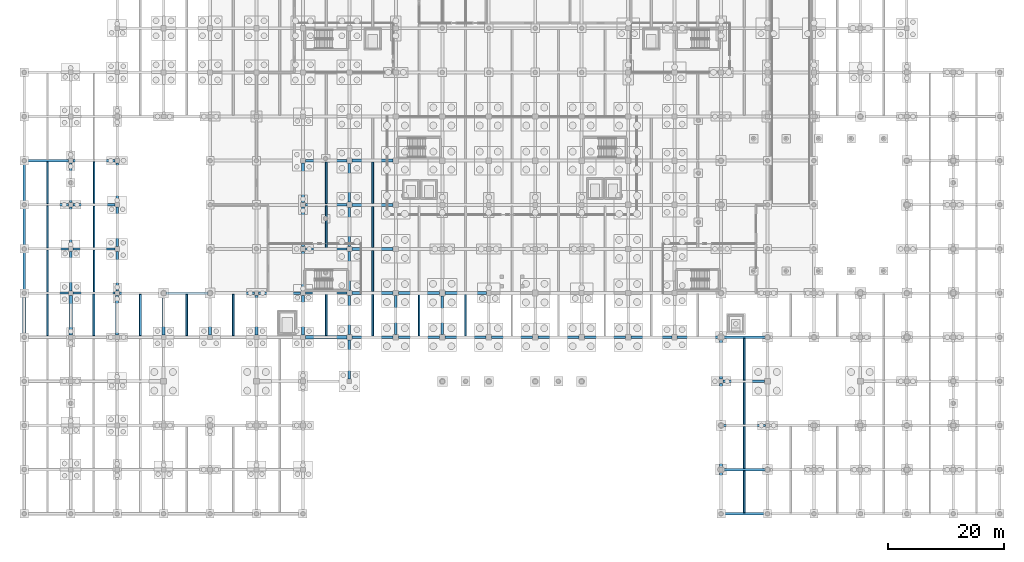
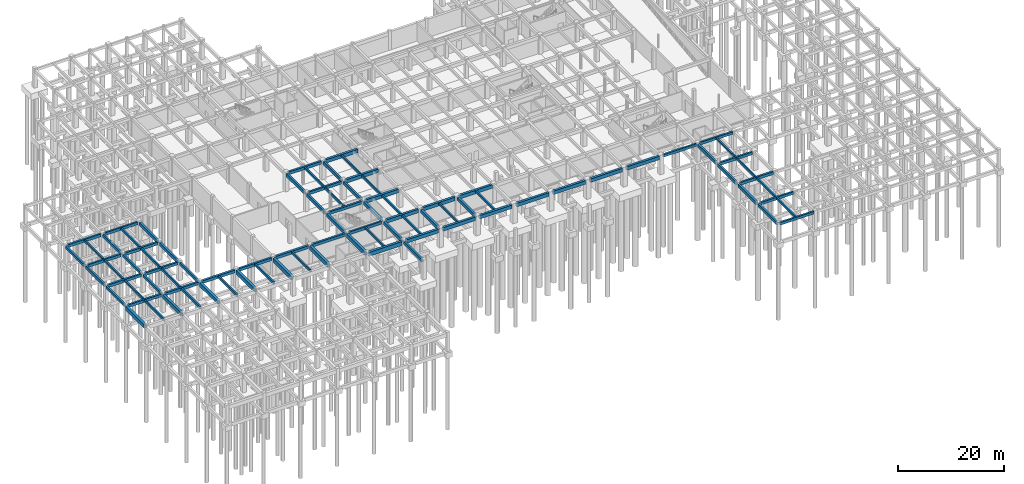
# One storey, part 27 of 49: 90 beams.
"""IFC4 building model written with IfcOpenShell, lengths in metres."""

from ifc_helpers import new_model, si_unit, direction, frame, origin, origin_2d, place, context, subcontext, project, spatial, rectangle, extrude, material, material_profile, profile_set, type_object, element, save


model = new_model("IFC4")

# Units and contexts
model_context = context("Model", 3, precision=1e-05, world=origin(), true_north=direction((0.0, 1.0)))
body_context = subcontext(model_context, "Body", "Model", "MODEL_VIEW")
ifc_project = project(units=[si_unit("LENGTHUNIT", "METRE"), si_unit("AREAUNIT", "SQUARE_METRE"), si_unit("VOLUMEUNIT", "CUBIC_METRE"), si_unit("PLANEANGLEUNIT", "RADIAN"), si_unit("MASSUNIT", "GRAM", prefix="KILO")], contexts=[model_context])

# Site, building, storey
site_placement = place(None, origin())
site = spatial("IfcSite", under=ifc_project, at=site_placement, CompositionType="ELEMENT")
building_placement = place(site_placement, origin())
building = spatial("IfcBuilding", under=site, at=building_placement, Name="Zantavel Square City Hall", CompositionType="ELEMENT")
storey_placement = place(building_placement, frame((0.0, 0.0, -4.5)))
storey = spatial("IfcBuildingStorey", under=building, at=storey_placement, Name="B1", CompositionType="ELEMENT", Elevation=-4.5)

# Beams
ifc_material_1 = material(Name="Concrete C40/50", Category="concrete")
ifc_material_profile_1 = material_profile(ifc_material_1, rectangle(XDim=0.320068359375, YDim=0.52001953125, at=origin_2d()), Name="RC 320x520")
ifc_profile_set_1 = profile_set([ifc_material_profile_1], Name="Concrete C40/50")
beam_type_1 = type_object("IfcBeamType", Name="Archive Floor Joist RC 320x520 C40/50", PredefinedType="JOIST", material=ifc_profile_set_1)
for number, where, z_axis, x_axis, name in (
    (1, (4.0, 30.675048828125, 3.989990234375), (0.0, 1.0, 0.0), (-1.0, 0.0, 0.0), "B1 Floor Joist JST-B1-0040-0304"),
    (2, (12.0, 30.675048828125, 3.919921875), (0.0, 1.0, 0.0), (-1.0, 0.0, 0.0), "B1 Floor Joist JST-B1-0120-0304"),
):
    element("IfcBeam", number, at=place(storey_placement, frame(where, z_axis=z_axis, x_axis=x_axis)), inside=storey, type_object=beam_type_1, Name=name, PredefinedType="JOIST", context=body_context, shape_type="SweptSolid", body=[
        extrude(rectangle(XDim=0.320068359375, YDim=0.52001953125, at=origin_2d()), origin(), (0.0, 0.0, 1.0), 7.125),
    ])
for number, where, z_axis, x_axis, name in (
    (3, (20.0, 30.675048828125, 3.919921875), (0.0, 1.0, 0.0), (-1.0, 0.0, 0.0), "B1 Floor Joist JST-B1-0200-0304"),
    (4, (28.0, 30.675048828125, 3.919921875), (0.0, 1.0, 0.0), (-1.0, 0.0, 0.0), "B1 Floor Joist JST-B1-0280-0304"),
    (5, (36.0, 30.675048828125, 3.919921875), (0.0, 1.0, 0.0), (-1.0, 0.0, 0.0), "B1 Floor Joist JST-B1-0360-0304"),
):
    element("IfcBeam", number, at=place(storey_placement, frame(where, z_axis=z_axis, x_axis=x_axis)), inside=storey, type_object=beam_type_1, Name=name, PredefinedType="JOIST", context=body_context, shape_type="SweptSolid", body=[
        extrude(rectangle(XDim=0.320068359375, YDim=0.52001953125, at=origin_2d()), origin(), (0.0, 0.0, 1.0), 7.099853515625),
    ])
beam_1_placement = place(storey_placement, frame((52.0, 30.675048828125, 3.919921875), z_axis=(0.0, 1.0, 0.0), x_axis=(-1.0, 0.0, 0.0)))
element("IfcBeam", 6, at=beam_1_placement, inside=storey, type_object=beam_type_1, Name="B1 Floor Joist JST-B1-0520-0304", PredefinedType="JOIST", context=body_context, shape_type="SweptSolid", body=[
    extrude(rectangle(XDim=0.320068359375, YDim=0.52001953125, at=origin_2d()), origin(), (0.0, 0.0, 1.0), 7.125),
])
ifc_material_profile_2 = material_profile(ifc_material_1, rectangle(XDim=0.550048828125, YDim=0.89990234375, at=origin_2d()), Name="RC 550x900")
ifc_profile_set_2 = profile_set([ifc_material_profile_2], Name="Concrete C40/50")
beam_type_2 = type_object("IfcBeamType", Name="Archive Heavy Girder RC 550x900 C40/50", PredefinedType="BEAM", material=ifc_profile_set_2)
beam_2_placement = place(storey_placement, frame((0.0, 30.72509765625, 3.800048828125), z_axis=(0.0, 1.0, 0.0), x_axis=(-1.0, 0.0, 0.0)))
element("IfcBeam", 7, at=beam_2_placement, inside=storey, type_object=beam_type_2, Name="B1 Beam BMY-B1-0000-0304", PredefinedType="BEAM", context=body_context, shape_type="SweptSolid", body=[
    extrude(rectangle(XDim=0.550048828125, YDim=0.89990234375, at=origin_2d()), origin(), (0.0, 0.0, 1.0), 6.949951171875),
])
for number, where, z_axis, x_axis, name in (
    (8, (8.0, 30.800048828125, 3.72998046875), (0.0, 1.0, 0.0), (-1.0, 0.0, 0.0), "B1 Beam BMY-B1-0080-0304"),
    (9, (16.0, 30.800048828125, 3.72998046875), (0.0, 1.0, 0.0), (-1.0, 0.0, 0.0), "B1 Beam BMY-B1-0160-0304"),
):
    element("IfcBeam", number, at=place(storey_placement, frame(where, z_axis=z_axis, x_axis=x_axis)), inside=storey, type_object=beam_type_2, Name=name, PredefinedType="BEAM", context=body_context, shape_type="SweptSolid", body=[
        extrude(rectangle(XDim=0.550048828125, YDim=0.89990234375, at=origin_2d()), origin(), (0.0, 0.0, 1.0), 6.800048828125),
    ])
for number, where, z_axis, x_axis, name in (
    (10, (24.0, 30.800048828125, 3.72998046875), (0.0, 1.0, 0.0), (-1.0, 0.0, 0.0), "B1 Beam BMY-B1-0240-0304"),
    (11, (32.0, 30.800048828125, 3.72998046875), (0.0, 1.0, 0.0), (-1.0, 0.0, 0.0), "B1 Beam BMY-B1-0320-0304"),
    (12, (40.0, 30.800048828125, 3.72998046875), (0.0, 1.0, 0.0), (-1.0, 0.0, 0.0), "B1 Beam BMY-B1-0400-0304"),
):
    element("IfcBeam", number, at=place(storey_placement, frame(where, z_axis=z_axis, x_axis=x_axis)), inside=storey, type_object=beam_type_2, Name=name, PredefinedType="BEAM", context=body_context, shape_type="SweptSolid", body=[
        extrude(rectangle(XDim=0.550048828125, YDim=0.89990234375, at=origin_2d()), origin(), (0.0, 0.0, 1.0), 6.824951171875),
    ])
beam_3_placement = place(storey_placement, frame((48.39990234375, 30.39990234375, 3.72998046875), z_axis=(1.0, 0.0, 0.0), x_axis=(0.0, 1.0, 0.0)))
element("IfcBeam", 13, at=beam_3_placement, inside=storey, type_object=beam_type_2, Name="B1 Girder BMX-B1-0480-0304", PredefinedType="BEAM", context=body_context, shape_type="SweptSolid", body=[
    extrude(rectangle(XDim=0.550048828125, YDim=0.89990234375, at=origin_2d()), origin(), (0.0, 0.0, 1.0), 7.150146484375),
])
beam_4_placement = place(storey_placement, frame((48.0, 30.800048828125, 3.72998046875), z_axis=(0.0, 1.0, 0.0), x_axis=(-1.0, 0.0, 0.0)))
element("IfcBeam", 14, at=beam_4_placement, inside=storey, type_object=beam_type_2, Name="B1 Beam BMY-B1-0480-0304", PredefinedType="BEAM", context=body_context, shape_type="SweptSolid", body=[
    extrude(rectangle(XDim=0.550048828125, YDim=0.89990234375, at=origin_2d()), origin(), (0.0, 0.0, 1.0), 6.800048828125),
])
ifc_material_2 = material(Name="Concrete C35/45", Category="concrete")
ifc_material_profile_3 = material_profile(ifc_material_2, rectangle(XDim=0.449951171875, YDim=0.64990234375, at=origin_2d()), Name="RC 450x650")
ifc_profile_set_3 = profile_set([ifc_material_profile_3], Name="Concrete C35/45")
beam_type_3 = type_object("IfcBeamType", Name="Courtyard Cloister Girder RC 450x650 C35/45", PredefinedType="BEAM", material=ifc_profile_set_3)
beam_5_placement = place(storey_placement, frame((16.39990234375, 38.0, 3.85498046875), z_axis=(1.0, 0.0, 0.0), x_axis=(0.0, 1.0, 0.0)))
element("IfcBeam", 15, at=beam_5_placement, inside=storey, type_object=beam_type_3, Name="B1 Girder BMX-B1-0160-0380", PredefinedType="BEAM", context=body_context, shape_type="SweptSolid", body=[
    extrude(rectangle(XDim=0.449951171875, YDim=0.64990234375, at=origin_2d()), origin(), (0.0, 0.0, 1.0), 7.22509765625),
])
for number, where, z_axis, x_axis, name in (
    (16, (24.375, 38.0, 3.85498046875), (1.0, 0.0, 0.0), (0.0, 1.0, 0.0), "B1 Girder BMX-B1-0240-0380"),
    (17, (32.375, 38.0, 3.85498046875), (1.0, 0.0, 0.0), (0.0, 1.0, 0.0), "B1 Girder BMX-B1-0320-0380"),
):
    element("IfcBeam", number, at=place(storey_placement, frame(where, z_axis=z_axis, x_axis=x_axis)), inside=storey, type_object=beam_type_3, Name=name, PredefinedType="BEAM", context=body_context, shape_type="SweptSolid", body=[
        extrude(rectangle(XDim=0.449951171875, YDim=0.64990234375, at=origin_2d()), origin(), (0.0, 0.0, 1.0), 7.25),
    ])
beam_6_placement = place(storey_placement, frame((40.375, 38.0, 3.85498046875), z_axis=(1.0, 0.0, 0.0), x_axis=(0.0, 1.0, 0.0)))
element("IfcBeam", 18, at=beam_6_placement, inside=storey, type_object=beam_type_3, Name="B1 Girder BMX-B1-0400-0380", PredefinedType="BEAM", context=body_context, shape_type="SweptSolid", body=[
    extrude(rectangle(XDim=0.449951171875, YDim=0.64990234375, at=origin_2d()), origin(), (0.0, 0.0, 1.0), 7.22509765625),
])
ifc_material_profile_4 = material_profile(ifc_material_2, rectangle(XDim=0.300048828125, YDim=0.5, at=origin_2d()), Name="RC 300x500")
ifc_profile_set_4 = profile_set([ifc_material_profile_4], Name="Concrete C35/45")
beam_type_4 = type_object("IfcBeamType", Name="Floor Joist RC 300x500 C35/45", PredefinedType="JOIST", material=ifc_profile_set_4)
for number, where, z_axis, x_axis, name in (
    (19, (4.0, 38.199951171875, 4.0), (0.0, 1.0, 0.0), (-1.0, 0.0, 0.0), "B1 Floor Joist JST-B1-0040-0380"),
    (20, (4.0, 45.800048828125, 4.0), (0.0, 1.0, 0.0), (-1.0, 0.0, 0.0), "B1 Floor Joist JST-B1-0040-0456"),
):
    element("IfcBeam", number, at=place(storey_placement, frame(where, z_axis=z_axis, x_axis=x_axis)), inside=storey, type_object=beam_type_4, Name=name, PredefinedType="JOIST", context=body_context, shape_type="SweptSolid", body=[
        extrude(rectangle(XDim=0.300048828125, YDim=0.5, at=origin_2d()), origin(), (0.0, 0.0, 1.0), 7.199951171875),
    ])
beam_7_placement = place(storey_placement, frame((4.0, 53.39990234375, 4.0), z_axis=(0.0, 1.0, 0.0), x_axis=(-1.0, 0.0, 0.0)))
element("IfcBeam", 21, at=beam_7_placement, inside=storey, type_object=beam_type_4, Name="B1 Floor Joist JST-B1-0040-0532", PredefinedType="JOIST", context=body_context, shape_type="SweptSolid", body=[
    extrude(rectangle(XDim=0.300048828125, YDim=0.5, at=origin_2d()), origin(), (0.0, 0.0, 1.0), 7.2001953125),
])
for number, where, z_axis, x_axis, name in (
    (22, (12.0, 38.199951171875, 3.929931640625), (0.0, 1.0, 0.0), (-1.0, 0.0, 0.0), "B1 Floor Joist JST-B1-0120-0380"),
    (23, (12.0, 45.800048828125, 3.929931640625), (0.0, 1.0, 0.0), (-1.0, 0.0, 0.0), "B1 Floor Joist JST-B1-0120-0456"),
):
    element("IfcBeam", number, at=place(storey_placement, frame(where, z_axis=z_axis, x_axis=x_axis)), inside=storey, type_object=beam_type_4, Name=name, PredefinedType="JOIST", context=body_context, shape_type="SweptSolid", body=[
        extrude(rectangle(XDim=0.300048828125, YDim=0.5, at=origin_2d()), origin(), (0.0, 0.0, 1.0), 7.199951171875),
    ])
beam_8_placement = place(storey_placement, frame((12.0, 53.39990234375, 3.929931640625), z_axis=(0.0, 1.0, 0.0), x_axis=(-1.0, 0.0, 0.0)))
element("IfcBeam", 24, at=beam_8_placement, inside=storey, type_object=beam_type_4, Name="B1 Floor Joist JST-B1-0120-0532", PredefinedType="JOIST", context=body_context, shape_type="SweptSolid", body=[
    extrude(rectangle(XDim=0.300048828125, YDim=0.5, at=origin_2d()), origin(), (0.0, 0.0, 1.0), 7.2001953125),
])
beam_9_placement = place(storey_placement, frame((52.0, 45.800048828125, 3.929931640625), z_axis=(0.0, 1.0, 0.0), x_axis=(-1.0, 0.0, 0.0)))
element("IfcBeam", 25, at=beam_9_placement, inside=storey, type_object=beam_type_4, Name="B1 Floor Joist JST-B1-0520-0456", PredefinedType="JOIST", context=body_context, shape_type="SweptSolid", body=[
    extrude(rectangle(XDim=0.300048828125, YDim=0.5, at=origin_2d()), origin(), (0.0, 0.0, 1.0), 7.199951171875),
])
beam_10_placement = place(storey_placement, frame((52.0, 53.39990234375, 3.929931640625), z_axis=(0.0, 1.0, 0.0), x_axis=(-1.0, 0.0, 0.0)))
element("IfcBeam", 26, at=beam_10_placement, inside=storey, type_object=beam_type_4, Name="B1 Floor Joist JST-B1-0520-0532", PredefinedType="JOIST", context=body_context, shape_type="SweptSolid", body=[
    extrude(rectangle(XDim=0.300048828125, YDim=0.5, at=origin_2d()), origin(), (0.0, 0.0, 1.0), 7.2001953125),
])
for number, where, z_axis, x_axis, name in (
    (27, (60.0, 30.64990234375, 3.949951171875), (0.0, 1.0, 0.0), (-1.0, 0.0, 0.0), "B1 Floor Joist JST-B1-0600-0304"),
    (28, (60.0, 38.25, 3.949951171875), (0.0, 1.0, 0.0), (-1.0, 0.0, 0.0), "B1 Floor Joist JST-B1-0600-0380"),
):
    element("IfcBeam", number, at=place(storey_placement, frame(where, z_axis=z_axis, x_axis=x_axis)), inside=storey, type_object=beam_type_4, Name=name, PredefinedType="JOIST", context=body_context, shape_type="SweptSolid", body=[
        extrude(rectangle(XDim=0.300048828125, YDim=0.5, at=origin_2d()), origin(), (0.0, 0.0, 1.0), 7.10009765625),
    ])
beam_11_placement = place(storey_placement, frame((60.0, 45.85009765625, 3.949951171875), z_axis=(0.0, 1.0, 0.0), x_axis=(-1.0, 0.0, 0.0)))
element("IfcBeam", 29, at=beam_11_placement, inside=storey, type_object=beam_type_4, Name="B1 Floor Joist JST-B1-0600-0456", PredefinedType="JOIST", context=body_context, shape_type="SweptSolid", body=[
    extrude(rectangle(XDim=0.300048828125, YDim=0.5, at=origin_2d()), origin(), (0.0, 0.0, 1.0), 7.099853515625),
])
for number, where, z_axis, x_axis, name in (
    (30, (60.0, 53.449951171875, 3.949951171875), (0.0, 1.0, 0.0), (-1.0, 0.0, 0.0), "B1 Floor Joist JST-B1-0600-0532"),
    (31, (68.0, 30.64990234375, 3.949951171875), (0.0, 1.0, 0.0), (-1.0, 0.0, 0.0), "B1 Floor Joist JST-B1-0680-0304"),
    (32, (76.0, 30.64990234375, 3.949951171875), (0.0, 1.0, 0.0), (-1.0, 0.0, 0.0), "B1 Floor Joist JST-B1-0760-0304"),
):
    element("IfcBeam", number, at=place(storey_placement, frame(where, z_axis=z_axis, x_axis=x_axis)), inside=storey, type_object=beam_type_4, Name=name, PredefinedType="JOIST", context=body_context, shape_type="SweptSolid", body=[
        extrude(rectangle(XDim=0.300048828125, YDim=0.5, at=origin_2d()), origin(), (0.0, 0.0, 1.0), 7.10009765625),
    ])
for number, where, z_axis, x_axis, name in (
    (33, (124.0, 0.199951171875, 3.949951171875), (0.0, 1.0, 0.0), (-1.0, 0.0, 0.0), "B1 Floor Joist JST-B1-1240-0000"),
    (34, (124.0, 7.800048828125, 3.949951171875), (0.0, 1.0, 0.0), (-1.0, 0.0, 0.0), "B1 Floor Joist JST-B1-1240-0076"),
):
    element("IfcBeam", number, at=place(storey_placement, frame(where, z_axis=z_axis, x_axis=x_axis)), inside=storey, type_object=beam_type_4, Name=name, PredefinedType="JOIST", context=body_context, shape_type="SweptSolid", body=[
        extrude(rectangle(XDim=0.300048828125, YDim=0.5, at=origin_2d()), origin(), (0.0, 0.0, 1.0), 7.199951171875),
    ])
beam_12_placement = place(storey_placement, frame((124.0, 15.39990234375, 3.949951171875), z_axis=(0.0, 1.0, 0.0), x_axis=(-1.0, 0.0, 0.0)))
element("IfcBeam", 35, at=beam_12_placement, inside=storey, type_object=beam_type_4, Name="B1 Floor Joist JST-B1-1240-0152", PredefinedType="JOIST", context=body_context, shape_type="SweptSolid", body=[
    extrude(rectangle(XDim=0.300048828125, YDim=0.5, at=origin_2d()), origin(), (0.0, 0.0, 1.0), 7.2001953125),
])
beam_13_placement = place(storey_placement, frame((124.0, 23.0, 3.949951171875), z_axis=(0.0, 1.0, 0.0), x_axis=(-1.0, 0.0, 0.0)))
element("IfcBeam", 36, at=beam_13_placement, inside=storey, type_object=beam_type_4, Name="B1 Floor Joist JST-B1-1240-0228", PredefinedType="JOIST", context=body_context, shape_type="SweptSolid", body=[
    extrude(rectangle(XDim=0.300048828125, YDim=0.5, at=origin_2d()), origin(), (0.0, 0.0, 1.0), 7.199951171875),
])
ifc_material_profile_5 = material_profile(ifc_material_2, rectangle(XDim=0.39990234375, YDim=0.64990234375, at=origin_2d()), Name="RC 400x650")
ifc_profile_set_5 = profile_set([ifc_material_profile_5], Name="Concrete C35/45")
beam_type_5 = type_object("IfcBeamType", Name="Frame Beam RC 400x650 C35/45", PredefinedType="BEAM", material=ifc_profile_set_5)
for number, where, z_axis, x_axis, name in (
    (37, (0.324951171875, 38.0, 3.925048828125), (1.0, 0.0, 0.0), (0.0, 1.0, 0.0), "B1 Girder BMX-B1-0000-0380"),
    (38, (0.324951171875, 45.60009765625, 3.925048828125), (1.0, 0.0, 0.0), (0.0, 1.0, 0.0), "B1 Girder BMX-B1-0000-0456"),
    (39, (0.324951171875, 53.199951171875, 3.925048828125), (1.0, 0.0, 0.0), (0.0, 1.0, 0.0), "B1 Girder BMX-B1-0000-0532"),
    (40, (0.324951171875, 60.800048828125, 3.925048828125), (1.0, 0.0, 0.0), (0.0, 1.0, 0.0), "B1 Girder BMX-B1-0000-0608"),
):
    element("IfcBeam", number, at=place(storey_placement, frame(where, z_axis=z_axis, x_axis=x_axis)), inside=storey, type_object=beam_type_5, Name=name, PredefinedType="BEAM", context=body_context, shape_type="SweptSolid", body=[
        extrude(rectangle(XDim=0.39990234375, YDim=0.64990234375, at=origin_2d()), origin(), (0.0, 0.0, 1.0), 7.275146484375),
    ])
for number, where, z_axis, x_axis, name in (
    (41, (8.39990234375, 38.0, 3.85498046875), (1.0, 0.0, 0.0), (0.0, 1.0, 0.0), "B1 Girder BMX-B1-0080-0380"),
    (42, (8.39990234375, 45.60009765625, 3.85498046875), (1.0, 0.0, 0.0), (0.0, 1.0, 0.0), "B1 Girder BMX-B1-0080-0456"),
    (43, (8.39990234375, 53.199951171875, 3.85498046875), (1.0, 0.0, 0.0), (0.0, 1.0, 0.0), "B1 Girder BMX-B1-0080-0532"),
    (44, (8.39990234375, 60.800048828125, 3.85498046875), (1.0, 0.0, 0.0), (0.0, 1.0, 0.0), "B1 Girder BMX-B1-0080-0608"),
):
    element("IfcBeam", number, at=place(storey_placement, frame(where, z_axis=z_axis, x_axis=x_axis)), inside=storey, type_object=beam_type_5, Name=name, PredefinedType="BEAM", context=body_context, shape_type="SweptSolid", body=[
        extrude(rectangle(XDim=0.39990234375, YDim=0.64990234375, at=origin_2d()), origin(), (0.0, 0.0, 1.0), 7.2001953125),
    ])
for number, where, z_axis, x_axis, name in (
    (45, (48.39990234375, 38.0, 3.85498046875), (1.0, 0.0, 0.0), (0.0, 1.0, 0.0), "B1 Girder BMX-B1-0480-0380"),
    (46, (48.39990234375, 45.60009765625, 3.85498046875), (1.0, 0.0, 0.0), (0.0, 1.0, 0.0), "B1 Girder BMX-B1-0480-0456"),
    (47, (48.39990234375, 53.199951171875, 3.85498046875), (1.0, 0.0, 0.0), (0.0, 1.0, 0.0), "B1 Girder BMX-B1-0480-0532"),
    (48, (48.39990234375, 60.800048828125, 3.85498046875), (1.0, 0.0, 0.0), (0.0, 1.0, 0.0), "B1 Girder BMX-B1-0480-0608"),
):
    element("IfcBeam", number, at=place(storey_placement, frame(where, z_axis=z_axis, x_axis=x_axis)), inside=storey, type_object=beam_type_5, Name=name, PredefinedType="BEAM", context=body_context, shape_type="SweptSolid", body=[
        extrude(rectangle(XDim=0.39990234375, YDim=0.64990234375, at=origin_2d()), origin(), (0.0, 0.0, 1.0), 7.150146484375),
    ])
beam_14_placement = place(storey_placement, frame((120.375, 15.199951171875, 3.875), z_axis=(1.0, 0.0, 0.0), x_axis=(0.0, 1.0, 0.0)))
element("IfcBeam", 49, at=beam_14_placement, inside=storey, type_object=beam_type_5, Name="B1 Girder BMX-B1-1200-0152", PredefinedType="BEAM", context=body_context, shape_type="SweptSolid", body=[
    extrude(rectangle(XDim=0.39990234375, YDim=0.64990234375, at=origin_2d()), origin(), (0.0, 0.0, 1.0), 7.25),
])
beam_15_placement = place(storey_placement, frame((120.375, 22.800048828125, 3.875), z_axis=(1.0, 0.0, 0.0), x_axis=(0.0, 1.0, 0.0)))
element("IfcBeam", 50, at=beam_15_placement, inside=storey, type_object=beam_type_5, Name="B1 Girder BMX-B1-1200-0228", PredefinedType="BEAM", context=body_context, shape_type="SweptSolid", body=[
    extrude(rectangle(XDim=0.39990234375, YDim=0.64990234375, at=origin_2d()), origin(), (0.0, 0.0, 1.0), 7.125),
])
ifc_material_profile_6 = material_profile(ifc_material_2, rectangle(XDim=0.39990234375, YDim=0.60009765625, at=origin_2d()), Name="RC 400x600")
ifc_profile_set_6 = profile_set([ifc_material_profile_6], Name="Concrete C35/45")
beam_type_6 = type_object("IfcBeamType", Name="Perimeter Spandrel RC 400x600 C35/45", PredefinedType="SPANDREL", material=ifc_profile_set_6)
for number, where, z_axis, x_axis, name in (
    (51, (0.0, 38.324951171875, 3.949951171875), (0.0, 1.0, 0.0), (-1.0, 0.0, 0.0), "B1 Beam BMY-B1-0000-0380"),
    (52, (0.0, 45.925048828125, 3.949951171875), (0.0, 1.0, 0.0), (-1.0, 0.0, 0.0), "B1 Beam BMY-B1-0000-0456"),
):
    element("IfcBeam", number, at=place(storey_placement, frame(where, z_axis=z_axis, x_axis=x_axis)), inside=storey, type_object=beam_type_6, Name=name, PredefinedType="SPANDREL", context=body_context, shape_type="SweptSolid", body=[
        extrude(rectangle(XDim=0.39990234375, YDim=0.60009765625, at=origin_2d()), origin(), (0.0, 0.0, 1.0), 6.949951171875),
    ])
beam_16_placement = place(storey_placement, frame((0.0, 53.52490234375, 3.949951171875), z_axis=(0.0, 1.0, 0.0), x_axis=(-1.0, 0.0, 0.0)))
element("IfcBeam", 53, at=beam_16_placement, inside=storey, type_object=beam_type_6, Name="B1 Beam BMY-B1-0000-0532", PredefinedType="SPANDREL", context=body_context, shape_type="SweptSolid", body=[
    extrude(rectangle(XDim=0.39990234375, YDim=0.60009765625, at=origin_2d()), origin(), (0.0, 0.0, 1.0), 6.9501953125),
])
for number, where, z_axis, x_axis, name in (
    (54, (8.0, 38.39990234375, 3.8798828125), (0.0, 1.0, 0.0), (-1.0, 0.0, 0.0), "B1 Beam BMY-B1-0080-0380"),
    (55, (8.0, 46.0, 3.8798828125), (0.0, 1.0, 0.0), (-1.0, 0.0, 0.0), "B1 Beam BMY-B1-0080-0456"),
):
    element("IfcBeam", number, at=place(storey_placement, frame(where, z_axis=z_axis, x_axis=x_axis)), inside=storey, type_object=beam_type_6, Name=name, PredefinedType="SPANDREL", context=body_context, shape_type="SweptSolid", body=[
        extrude(rectangle(XDim=0.39990234375, YDim=0.60009765625, at=origin_2d()), origin(), (0.0, 0.0, 1.0), 6.800048828125),
    ])
beam_17_placement = place(storey_placement, frame((8.0, 53.60009765625, 3.8798828125), z_axis=(0.0, 1.0, 0.0), x_axis=(-1.0, 0.0, 0.0)))
element("IfcBeam", 56, at=beam_17_placement, inside=storey, type_object=beam_type_6, Name="B1 Beam BMY-B1-0080-0532", PredefinedType="SPANDREL", context=body_context, shape_type="SweptSolid", body=[
    extrude(rectangle(XDim=0.39990234375, YDim=0.60009765625, at=origin_2d()), origin(), (0.0, 0.0, 1.0), 6.7998046875),
])
beam_18_placement = place(storey_placement, frame((112.449951171875, 30.39990234375, 3.89990234375), z_axis=(1.0, 0.0, 0.0), x_axis=(0.0, 1.0, 0.0)))
element("IfcBeam", 57, at=beam_18_placement, inside=storey, type_object=beam_type_6, Name="B1 Girder BMX-B1-1120-0304", PredefinedType="SPANDREL", context=body_context, shape_type="SweptSolid", body=[
    extrude(rectangle(XDim=0.39990234375, YDim=0.60009765625, at=origin_2d()), origin(), (0.0, 0.0, 1.0), 7.175048828125),
])
beam_19_placement = place(storey_placement, frame((120.324951171875, 0.0, 3.949951171875), z_axis=(1.0, 0.0, 0.0), x_axis=(0.0, 1.0, 0.0)))
element("IfcBeam", 58, at=beam_19_placement, inside=storey, type_object=beam_type_6, Name="B1 Girder BMX-B1-1200-0000", PredefinedType="SPANDREL", context=body_context, shape_type="SweptSolid", body=[
    extrude(rectangle(XDim=0.39990234375, YDim=0.60009765625, at=origin_2d()), origin(), (0.0, 0.0, 1.0), 7.35009765625),
])
for number, where, z_axis, x_axis, name in (
    (59, (120.375, 7.60009765625, 3.89990234375), (1.0, 0.0, 0.0), (0.0, 1.0, 0.0), "B1 Girder BMX-B1-1200-0076"),
    (60, (120.375, 30.39990234375, 3.89990234375), (1.0, 0.0, 0.0), (0.0, 1.0, 0.0), "B1 Girder BMX-B1-1200-0304"),
):
    element("IfcBeam", number, at=place(storey_placement, frame(where, z_axis=z_axis, x_axis=x_axis)), inside=storey, type_object=beam_type_6, Name=name, PredefinedType="SPANDREL", context=body_context, shape_type="SweptSolid", body=[
        extrude(rectangle(XDim=0.39990234375, YDim=0.60009765625, at=origin_2d()), origin(), (0.0, 0.0, 1.0), 7.25),
    ])
ifc_material_profile_7 = material_profile(ifc_material_2, rectangle(XDim=0.449951171875, YDim=0.699951171875, at=origin_2d()), Name="RC 450x700")
ifc_profile_set_7 = profile_set([ifc_material_profile_7], Name="Concrete C35/45")
beam_type_7 = type_object("IfcBeamType", Name="Primary Girder RC 450x700 C35/45", PredefinedType="BEAM", material=ifc_profile_set_7)
for number, where, z_axis, x_axis, name in (
    (61, (16.0, 38.39990234375, 3.830078125), (0.0, 1.0, 0.0), (-1.0, 0.0, 0.0), "B1 Beam BMY-B1-0160-0380"),
    (62, (16.0, 46.0, 3.830078125), (0.0, 1.0, 0.0), (-1.0, 0.0, 0.0), "B1 Beam BMY-B1-0160-0456"),
):
    element("IfcBeam", number, at=place(storey_placement, frame(where, z_axis=z_axis, x_axis=x_axis)), inside=storey, type_object=beam_type_7, Name=name, PredefinedType="BEAM", context=body_context, shape_type="SweptSolid", body=[
        extrude(rectangle(XDim=0.449951171875, YDim=0.699951171875, at=origin_2d()), origin(), (0.0, 0.0, 1.0), 6.800048828125),
    ])
beam_20_placement = place(storey_placement, frame((16.0, 53.60009765625, 3.830078125), z_axis=(0.0, 1.0, 0.0), x_axis=(-1.0, 0.0, 0.0)))
element("IfcBeam", 63, at=beam_20_placement, inside=storey, type_object=beam_type_7, Name="B1 Beam BMY-B1-0160-0532", PredefinedType="BEAM", context=body_context, shape_type="SweptSolid", body=[
    extrude(rectangle(XDim=0.449951171875, YDim=0.699951171875, at=origin_2d()), origin(), (0.0, 0.0, 1.0), 6.7998046875),
])
for number, where, z_axis, x_axis, name in (
    (64, (48.0, 38.39990234375, 3.830078125), (0.0, 1.0, 0.0), (-1.0, 0.0, 0.0), "B1 Beam BMY-B1-0480-0380"),
    (65, (48.0, 46.0, 3.830078125), (0.0, 1.0, 0.0), (-1.0, 0.0, 0.0), "B1 Beam BMY-B1-0480-0456"),
):
    element("IfcBeam", number, at=place(storey_placement, frame(where, z_axis=z_axis, x_axis=x_axis)), inside=storey, type_object=beam_type_7, Name=name, PredefinedType="BEAM", context=body_context, shape_type="SweptSolid", body=[
        extrude(rectangle(XDim=0.449951171875, YDim=0.699951171875, at=origin_2d()), origin(), (0.0, 0.0, 1.0), 6.800048828125),
    ])
beam_21_placement = place(storey_placement, frame((48.0, 53.60009765625, 3.830078125), z_axis=(0.0, 1.0, 0.0), x_axis=(-1.0, 0.0, 0.0)))
element("IfcBeam", 66, at=beam_21_placement, inside=storey, type_object=beam_type_7, Name="B1 Beam BMY-B1-0480-0532", PredefinedType="BEAM", context=body_context, shape_type="SweptSolid", body=[
    extrude(rectangle(XDim=0.449951171875, YDim=0.699951171875, at=origin_2d()), origin(), (0.0, 0.0, 1.0), 6.7998046875),
])
beam_22_placement = place(storey_placement, frame((56.0, 23.199951171875, 3.85009765625), z_axis=(0.0, 1.0, 0.0), x_axis=(-1.0, 0.0, 0.0)))
element("IfcBeam", 67, at=beam_22_placement, inside=storey, type_object=beam_type_7, Name="B1 Beam BMY-B1-0560-0228", PredefinedType="BEAM", context=body_context, shape_type="SweptSolid", body=[
    extrude(rectangle(XDim=0.449951171875, YDim=0.699951171875, at=origin_2d()), origin(), (0.0, 0.0, 1.0), 6.75),
])
for number, where, z_axis, x_axis, name in (
    (68, (56.0, 30.85009765625, 3.85009765625), (0.0, 1.0, 0.0), (-1.0, 0.0, 0.0), "B1 Beam BMY-B1-0560-0304"),
    (69, (56.0, 38.449951171875, 3.85009765625), (0.0, 1.0, 0.0), (-1.0, 0.0, 0.0), "B1 Beam BMY-B1-0560-0380"),
    (70, (56.0, 46.050048828125, 3.85009765625), (0.0, 1.0, 0.0), (-1.0, 0.0, 0.0), "B1 Beam BMY-B1-0560-0456"),
):
    element("IfcBeam", number, at=place(storey_placement, frame(where, z_axis=z_axis, x_axis=x_axis)), inside=storey, type_object=beam_type_7, Name=name, PredefinedType="BEAM", context=body_context, shape_type="SweptSolid", body=[
        extrude(rectangle(XDim=0.449951171875, YDim=0.699951171875, at=origin_2d()), origin(), (0.0, 0.0, 1.0), 6.699951171875),
    ])
beam_23_placement = place(storey_placement, frame((56.0, 53.64990234375, 3.85009765625), z_axis=(0.0, 1.0, 0.0), x_axis=(-1.0, 0.0, 0.0)))
element("IfcBeam", 71, at=beam_23_placement, inside=storey, type_object=beam_type_7, Name="B1 Beam BMY-B1-0560-0532", PredefinedType="BEAM", context=body_context, shape_type="SweptSolid", body=[
    extrude(rectangle(XDim=0.449951171875, YDim=0.699951171875, at=origin_2d()), origin(), (0.0, 0.0, 1.0), 6.7001953125),
])
beam_24_placement = place(storey_placement, frame((64.0, 30.875, 3.85009765625), z_axis=(0.0, 1.0, 0.0), x_axis=(-1.0, 0.0, 0.0)))
element("IfcBeam", 72, at=beam_24_placement, inside=storey, type_object=beam_type_7, Name="B1 Beam BMY-B1-0640-0304", PredefinedType="BEAM", context=body_context, shape_type="SweptSolid", body=[
    extrude(rectangle(XDim=0.449951171875, YDim=0.699951171875, at=origin_2d()), origin(), (0.0, 0.0, 1.0), 6.675048828125),
])
beam_25_placement = place(storey_placement, frame((72.0, 30.89990234375, 3.85009765625), z_axis=(0.0, 1.0, 0.0), x_axis=(-1.0, 0.0, 0.0)))
element("IfcBeam", 73, at=beam_25_placement, inside=storey, type_object=beam_type_7, Name="B1 Beam BMY-B1-0720-0304", PredefinedType="BEAM", context=body_context, shape_type="SweptSolid", body=[
    extrude(rectangle(XDim=0.449951171875, YDim=0.699951171875, at=origin_2d()), origin(), (0.0, 0.0, 1.0), 6.60009765625),
])
beam_26_placement = place(storey_placement, frame((120.0, 0.324951171875, 3.89990234375), z_axis=(0.0, 1.0, 0.0), x_axis=(-1.0, 0.0, 0.0)))
element("IfcBeam", 74, at=beam_26_placement, inside=storey, type_object=beam_type_7, Name="B1 Beam BMY-B1-1200-0000", PredefinedType="BEAM", context=body_context, shape_type="SweptSolid", body=[
    extrude(rectangle(XDim=0.449951171875, YDim=0.699951171875, at=origin_2d()), origin(), (0.0, 0.0, 1.0), 6.900146484375),
])
beam_27_placement = place(storey_placement, frame((120.0, 7.97509765625, 3.85009765625), z_axis=(0.0, 1.0, 0.0), x_axis=(-1.0, 0.0, 0.0)))
element("IfcBeam", 75, at=beam_27_placement, inside=storey, type_object=beam_type_7, Name="B1 Beam BMY-B1-1200-0076", PredefinedType="BEAM", context=body_context, shape_type="SweptSolid", body=[
    extrude(rectangle(XDim=0.449951171875, YDim=0.699951171875, at=origin_2d()), origin(), (0.0, 0.0, 1.0), 6.849853515625),
])
beam_28_placement = place(storey_placement, frame((120.0, 15.574951171875, 3.85009765625), z_axis=(0.0, 1.0, 0.0), x_axis=(-1.0, 0.0, 0.0)))
element("IfcBeam", 76, at=beam_28_placement, inside=storey, type_object=beam_type_7, Name="B1 Beam BMY-B1-1200-0152", PredefinedType="BEAM", context=body_context, shape_type="SweptSolid", body=[
    extrude(rectangle(XDim=0.449951171875, YDim=0.699951171875, at=origin_2d()), origin(), (0.0, 0.0, 1.0), 6.85009765625),
])
beam_29_placement = place(storey_placement, frame((120.0, 23.175048828125, 3.85009765625), z_axis=(0.0, 1.0, 0.0), x_axis=(-1.0, 0.0, 0.0)))
element("IfcBeam", 77, at=beam_29_placement, inside=storey, type_object=beam_type_7, Name="B1 Beam BMY-B1-1200-0228", PredefinedType="BEAM", context=body_context, shape_type="SweptSolid", body=[
    extrude(rectangle(XDim=0.449951171875, YDim=0.699951171875, at=origin_2d()), origin(), (0.0, 0.0, 1.0), 6.849853515625),
])
ifc_material_profile_8 = material_profile(ifc_material_2, rectangle(XDim=0.5, YDim=0.800048828125, at=origin_2d()), Name="RC 500x800")
ifc_profile_set_8 = profile_set([ifc_material_profile_8], Name="Concrete C35/45")
beam_type_8 = type_object("IfcBeamType", Name="Primary Girder RC 500x800 C35/45", PredefinedType="BEAM", material=ifc_profile_set_8)
beam_30_placement = place(storey_placement, frame((56.449951171875, 30.39990234375, 3.800048828125), z_axis=(1.0, 0.0, 0.0), x_axis=(0.0, 1.0, 0.0)))
element("IfcBeam", 78, at=beam_30_placement, inside=storey, type_object=beam_type_8, Name="B1 Girder BMX-B1-0560-0304", PredefinedType="BEAM", context=body_context, shape_type="SweptSolid", body=[
    extrude(rectangle(XDim=0.5, YDim=0.800048828125, at=origin_2d()), origin(), (0.0, 0.0, 1.0), 7.074951171875),
])
for number, where, z_axis, x_axis, name in (
    (79, (56.449951171875, 38.0, 3.800048828125), (1.0, 0.0, 0.0), (0.0, 1.0, 0.0), "B1 Girder BMX-B1-0560-0380"),
    (80, (56.449951171875, 45.60009765625, 3.800048828125), (1.0, 0.0, 0.0), (0.0, 1.0, 0.0), "B1 Girder BMX-B1-0560-0456"),
    (81, (56.449951171875, 53.199951171875, 3.800048828125), (1.0, 0.0, 0.0), (0.0, 1.0, 0.0), "B1 Girder BMX-B1-0560-0532"),
):
    element("IfcBeam", number, at=place(storey_placement, frame(where, z_axis=z_axis, x_axis=x_axis)), inside=storey, type_object=beam_type_8, Name=name, PredefinedType="BEAM", context=body_context, shape_type="SweptSolid", body=[
        extrude(rectangle(XDim=0.5, YDim=0.800048828125, at=origin_2d()), origin(), (0.0, 0.0, 1.0), 7.10009765625),
    ])
beam_31_placement = place(storey_placement, frame((56.449951171875, 60.800048828125, 3.800048828125), z_axis=(1.0, 0.0, 0.0), x_axis=(0.0, 1.0, 0.0)))
element("IfcBeam", 82, at=beam_31_placement, inside=storey, type_object=beam_type_8, Name="B1 Girder BMX-B1-0560-0608", PredefinedType="BEAM", context=body_context, shape_type="SweptSolid", body=[
    extrude(rectangle(XDim=0.5, YDim=0.800048828125, at=origin_2d()), origin(), (0.0, 0.0, 1.0), 7.074951171875),
])
beam_32_placement = place(storey_placement, frame((64.47509765625, 30.39990234375, 3.800048828125), z_axis=(1.0, 0.0, 0.0), x_axis=(0.0, 1.0, 0.0)))
element("IfcBeam", 83, at=beam_32_placement, inside=storey, type_object=beam_type_8, Name="B1 Girder BMX-B1-0640-0304", PredefinedType="BEAM", context=body_context, shape_type="SweptSolid", body=[
    extrude(rectangle(XDim=0.5, YDim=0.800048828125, at=origin_2d()), origin(), (0.0, 0.0, 1.0), 7.02490234375),
])
beam_33_placement = place(storey_placement, frame((64.449951171875, 38.0, 3.800048828125), z_axis=(1.0, 0.0, 0.0), x_axis=(0.0, 1.0, 0.0)))
element("IfcBeam", 84, at=beam_33_placement, inside=storey, type_object=beam_type_8, Name="B1 Girder BMX-B1-0640-0380", PredefinedType="BEAM", context=body_context, shape_type="SweptSolid", body=[
    extrude(rectangle(XDim=0.5, YDim=0.800048828125, at=origin_2d()), origin(), (0.0, 0.0, 1.0), 7.050048828125),
])
beam_34_placement = place(storey_placement, frame((72.5, 30.39990234375, 3.800048828125), z_axis=(1.0, 0.0, 0.0), x_axis=(0.0, 1.0, 0.0)))
element("IfcBeam", 85, at=beam_34_placement, inside=storey, type_object=beam_type_8, Name="B1 Girder BMX-B1-0720-0304", PredefinedType="BEAM", context=body_context, shape_type="SweptSolid", body=[
    extrude(rectangle(XDim=0.5, YDim=0.800048828125, at=origin_2d()), origin(), (0.0, 0.0, 1.0), 7.0),
])
beam_35_placement = place(storey_placement, frame((72.5, 38.0, 3.800048828125), z_axis=(1.0, 0.0, 0.0), x_axis=(0.0, 1.0, 0.0)))
element("IfcBeam", 86, at=beam_35_placement, inside=storey, type_object=beam_type_8, Name="B1 Girder BMX-B1-0720-0380", PredefinedType="BEAM", context=body_context, shape_type="SweptSolid", body=[
    extrude(rectangle(XDim=0.5, YDim=0.800048828125, at=origin_2d()), origin(), (0.0, 0.0, 1.0), 7.074951171875),
])
for number, where, z_axis, x_axis, name in (
    (87, (80.5, 30.39990234375, 3.800048828125), (1.0, 0.0, 0.0), (0.0, 1.0, 0.0), "B1 Girder BMX-B1-0800-0304"),
    (88, (88.5, 30.39990234375, 3.800048828125), (1.0, 0.0, 0.0), (0.0, 1.0, 0.0), "B1 Girder BMX-B1-0880-0304"),
):
    element("IfcBeam", number, at=place(storey_placement, frame(where, z_axis=z_axis, x_axis=x_axis)), inside=storey, type_object=beam_type_8, Name=name, PredefinedType="BEAM", context=body_context, shape_type="SweptSolid", body=[
        extrude(rectangle(XDim=0.5, YDim=0.800048828125, at=origin_2d()), origin(), (0.0, 0.0, 1.0), 7.0),
    ])
beam_36_placement = place(storey_placement, frame((96.5, 30.39990234375, 3.800048828125), z_axis=(1.0, 0.0, 0.0), x_axis=(0.0, 1.0, 0.0)))
element("IfcBeam", 89, at=beam_36_placement, inside=storey, type_object=beam_type_8, Name="B1 Girder BMX-B1-0960-0304", PredefinedType="BEAM", context=body_context, shape_type="SweptSolid", body=[
    extrude(rectangle(XDim=0.5, YDim=0.800048828125, at=origin_2d()), origin(), (0.0, 0.0, 1.0), 7.02490234375),
])
beam_37_placement = place(storey_placement, frame((104.47509765625, 30.39990234375, 3.800048828125), z_axis=(1.0, 0.0, 0.0), x_axis=(0.0, 1.0, 0.0)))
element("IfcBeam", 90, at=beam_37_placement, inside=storey, type_object=beam_type_8, Name="B1 Girder BMX-B1-1040-0304", PredefinedType="BEAM", context=body_context, shape_type="SweptSolid", body=[
    extrude(rectangle(XDim=0.5, YDim=0.800048828125, at=origin_2d()), origin(), (0.0, 0.0, 1.0), 7.074951171875),
])

save(model, "model.ifc")
